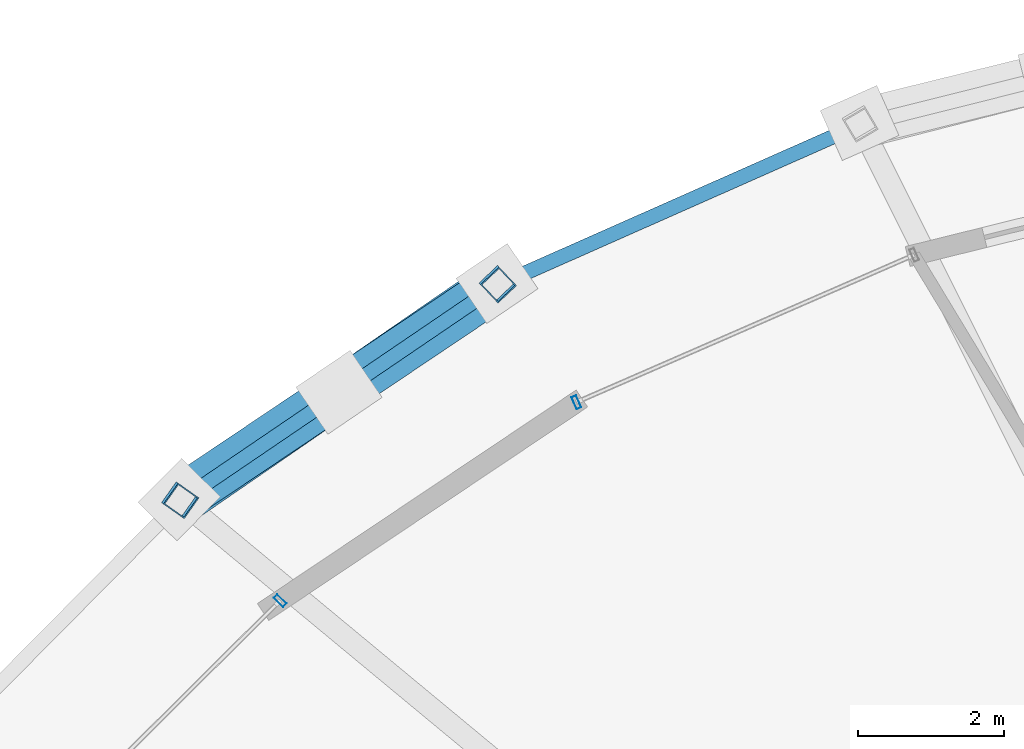
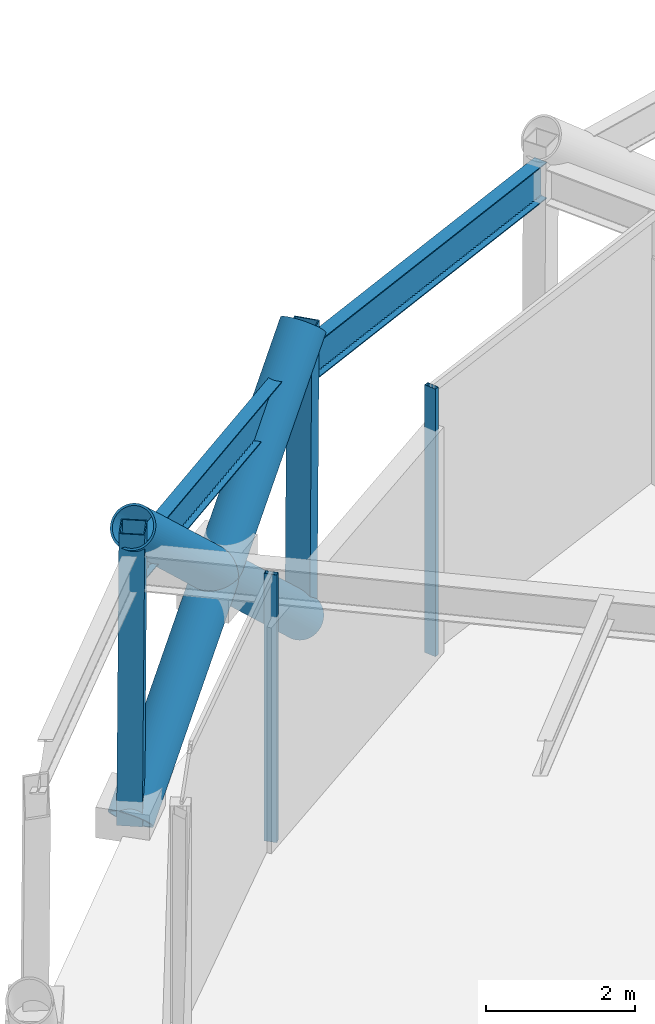
# One storey, part 23 of 39: 7 members, 2 beams, 2 elements without a shape of their own.
"""IFC4 building model written with IfcOpenShell, lengths in metres."""

from ifc_helpers import new_model, si_unit, direction, frame, origin, origin_2d, place, context, subcontext, project, spatial, hollow_rectangle, hollow_circle, i_section, extrude, material, layer, layer_set, material_profile, profile_set, type_object, element, aggregate, save


model = new_model("IFC4")

# Units and contexts
model_context = context("Model", 3, precision=1e-05, world=origin(), true_north=direction((0.0, 1.0)))
body_context = subcontext(model_context, "Body", "Model", "MODEL_VIEW")
ifc_project = project(units=[si_unit("LENGTHUNIT", "METRE"), si_unit("AREAUNIT", "SQUARE_METRE"), si_unit("VOLUMEUNIT", "CUBIC_METRE"), si_unit("PLANEANGLEUNIT", "RADIAN"), si_unit("MASSUNIT", "GRAM", prefix="KILO")], contexts=[model_context])

# Site, building, storey
site_placement = place(None, origin())
site = spatial("IfcSite", under=ifc_project, at=site_placement, CompositionType="ELEMENT")
building_placement = place(site_placement, origin())
building = spatial("IfcBuilding", under=site, at=building_placement, Name="Veldorina Hangang Commons", CompositionType="ELEMENT")
storey_placement = place(building_placement, frame((0.0, 0.0, 106.0)))
storey = spatial("IfcBuildingStorey", under=building, at=storey_placement, Name="L27", CompositionType="ELEMENT", Elevation=106.0)

# Beams
ifc_material_1 = material(Name="Steel SM420-TMC", Category="steel")
ifc_material_profile_1 = material_profile(ifc_material_1, i_section(OverallWidth=0.199951171875, OverallDepth=0.60009765625, WebThickness=0.010986328125, FlangeThickness=0.01708984375, FilletRadius=0.01806640625, at=origin_2d()), Name="H-600x200x11x17")
ifc_profile_set_1 = profile_set([ifc_material_profile_1], Name="Steel SM420-TMC")
beam_type = type_object("IfcBeamType", Name="BM-RB600", PredefinedType="BEAM", material=ifc_profile_set_1)
beam_1_placement = place(storey_placement, frame((20.997802734375, 46.01171875, 4.139892578125), z_axis=(-0.914309006234, -0.405017334343, 0.0), x_axis=(0.405017334343, -0.914309006234, 0.0)))
element("IfcBeam", 1, at=beam_1_placement, inside=storey, type_object=beam_type, Name="L27 perimeter hoop ring beam 10", PredefinedType="BEAM", context=body_context, shape_type="SweptSolid", body=[
    extrude(i_section(OverallWidth=0.199951171875, OverallDepth=0.60009765625, WebThickness=0.010986328125, FlangeThickness=0.01708984375, FilletRadius=0.01806640625, at=origin_2d()), origin(), (0.0, 0.0, 1.0), 5.4365234375),
])
beam_2_placement = place(storey_placement, frame((16.027099609375, 43.809814453125, 4.139892578125), z_axis=(-0.826896335744, -0.562354381092, 0.0), x_axis=(0.562354381092, -0.826896335744, 0.0)))
element("IfcBeam", 2, at=beam_2_placement, inside=storey, type_object=beam_type, Name="L27 perimeter hoop ring beam 11", PredefinedType="BEAM", context=body_context, shape_type="SweptSolid", body=[
    extrude(i_section(OverallWidth=0.199951171875, OverallDepth=0.60009765625, WebThickness=0.010986328125, FlangeThickness=0.01708984375, FilletRadius=0.01806640625, at=origin_2d()), origin(), (0.0, 0.0, 1.0), 5.268798828125),
])

# Curtain wall, member
ifc_material_2 = material(Name="Glass Acoustic Laminated", Category="glass")
ifc_layer = layer(ifc_material_2, 0.179931640625)
ifc_layer_set = layer_set([ifc_layer], Name="Glass Acoustic Laminated")
curtain_wall_type = type_object("IfcCurtainWallType", Name="CW-SYS-SKY", PredefinedType="NOTDEFINED", material=ifc_layer_set)
curtain_wall_1_placement = place(storey_placement, origin())
curtain_wall_1 = element("IfcCurtainWall", 3, at=curtain_wall_1_placement, inside=storey, type_object=curtain_wall_type, Name="L27 unitised curtain wall CW-L27-R6", PredefinedType="NOTDEFINED")
ifc_material_3 = material(Name="Aluminium Anodized AA6063-T6", Category="aluminium")
ifc_material_profile_2 = material_profile(ifc_material_3, hollow_rectangle(XDim=0.070068359375, YDim=0.179931640625, WallThickness=0.00390625, at=origin_2d()), Name="ALU-RHS-180x70x4")
ifc_profile_set_2 = profile_set([ifc_material_profile_2], Name="Aluminium Anodized AA6063-T6")
member_type_1 = type_object("IfcMemberType", Name="CW-MUL-180", PredefinedType="MULLION", material=ifc_profile_set_2)
member_1_placement = place(storey_placement, frame((17.097900390625, 42.19921875, 0.0), z_axis=(0.0, 0.0, 1.0), x_axis=(0.916600140104, 0.39980518151, 0.0)))
member_1 = element("IfcMember", 4, at=member_1_placement, type_object=member_type_1, Name="CW-L27-R6 vertical mullion 2", PredefinedType="MULLION", context=body_context, shape_type="SweptSolid", body=[
    extrude(hollow_rectangle(XDim=0.070068359375, YDim=0.179931640625, WallThickness=0.00390625, at=origin_2d()), origin(), (0.0, 0.0, 1.0), 4.39990234375),
])
aggregate(curtain_wall_1, [member_1])

curtain_wall_2_placement = place(storey_placement, origin())
curtain_wall_2 = element("IfcCurtainWall", 5, at=curtain_wall_2_placement, inside=storey, type_object=curtain_wall_type, Name="L27 unitised curtain wall CW-L27-R7", PredefinedType="NOTDEFINED")
member_2_placement = place(storey_placement, frame((13.033203125, 39.477294921875, 0.0), z_axis=(0.0, 0.0, 1.0), x_axis=(-0.709115555697, -0.705092283796, 0.0)))
member_2 = element("IfcMember", 6, at=member_2_placement, type_object=member_type_1, Name="CW-L27-R7 vertical mullion 1", PredefinedType="MULLION", context=body_context, shape_type="SweptSolid", body=[
    extrude(hollow_rectangle(XDim=0.070068359375, YDim=0.179931640625, WallThickness=0.00390625, at=origin_2d()), origin(), (0.0, 0.0, 1.0), 4.39990234375),
])
aggregate(curtain_wall_2, [member_2])

# Members
ifc_material_4 = material(Name="Steel SM460-TMC", Category="steel")
ifc_material_profile_3 = material_profile(ifc_material_4, hollow_circle(Radius=0.324951171875, WallThickness=0.031982421875, at=origin_2d()), Name="CHS-650x32")
ifc_profile_set_3 = profile_set([ifc_material_profile_3], Name="Steel SM460-TMC")
member_type_2 = type_object("IfcMemberType", Name="DG-CHS650", PredefinedType="BRACE", material=ifc_profile_set_3)
member_3_placement = place(storey_placement, frame((16.009033203125, 43.8291015625, 0.0), z_axis=(-0.608567345476, -0.418998411717, 0.673859122517), x_axis=(0.567087803966, -0.823657345376, 0.0)))
element("IfcMember", 7, at=member_3_placement, inside=storey, type_object=member_type_2, Name="L27 continuous perimeter diagrid brace 11", PredefinedType="BRACE", context=body_context, shape_type="SweptSolid", body=[
    extrude(hollow_circle(Radius=0.324951171875, WallThickness=0.031982421875, at=origin_2d()), origin(), (0.0, 0.0, 1.0), 7.123291015625),
])
member_4_placement = place(storey_placement, frame((11.6474609375, 40.86328125, 0.0), z_axis=(0.614218634234, 0.412465491935, 0.672761240949), x_axis=(-0.557491529371, 0.830182627305, 0.0)))
element("IfcMember", 8, at=member_4_placement, inside=storey, type_object=member_type_2, Name="L27 split perimeter diagrid lower brace 12", PredefinedType="BRACE", context=body_context, shape_type="SweptSolid", body=[
    extrude(hollow_circle(Radius=0.324951171875, WallThickness=0.031982421875, at=origin_2d()), origin(), (0.0, 0.0, 1.0), 3.56982421875),
])
member_5_placement = place(storey_placement, frame((13.840087890625, 42.335693359375, 2.401611328125), z_axis=(0.614204144345, 0.412619194406, 0.672680213383), x_axis=(-0.557643747824, 0.830080387982, 0.0)))
element("IfcMember", 9, at=member_5_placement, inside=storey, type_object=member_type_2, Name="L27 split perimeter diagrid upper brace 12", PredefinedType="BRACE", context=body_context, shape_type="SweptSolid", body=[
    extrude(hollow_circle(Radius=0.324951171875, WallThickness=0.031982421875, at=origin_2d()), origin(), (0.0, 0.0, 1.0), 3.5654296875),
])
ifc_material_5 = material(Name="Steel SM355-TMC", Category="steel")
ifc_material_profile_4 = material_profile(ifc_material_5, hollow_rectangle(XDim=0.35009765625, YDim=0.35009765625, WallThickness=0.01611328125, at=origin_2d()), Name="SHS-350x350x16")
ifc_profile_set_4 = profile_set([ifc_material_profile_4], Name="Steel SM355-TMC")
member_type_3 = type_object("IfcMemberType", Name="STR-SHS350", PredefinedType="STRUT", material=ifc_profile_set_4)
for number, where, z_axis, x_axis, name in (
    (10, (16.009033203125, 43.8291015625, 0.0), (0.004374053006, -0.004628358414, 0.999979722774), (0.726791623273, 0.686858017599, 0.0), "L27 perimeter ring node post 11"),
    (11, (11.6474609375, 40.86328125, 0.0), (0.005543842585, -0.003916292469, 0.999976963966), (0.576977350994, 0.816760146212, 0.0), "L27 perimeter ring node post 12"),
):
    element("IfcMember", number, at=place(storey_placement, frame(where, z_axis=z_axis, x_axis=x_axis)), inside=storey, type_object=member_type_3, Name=name, PredefinedType="STRUT", context=body_context, shape_type="SweptSolid", body=[
        extrude(hollow_rectangle(XDim=0.35009765625, YDim=0.35009765625, WallThickness=0.01611328125, at=origin_2d()), origin(), (0.0, 0.0, 1.0), 4.800048828125),
    ])

save(model, "model.ifc")
